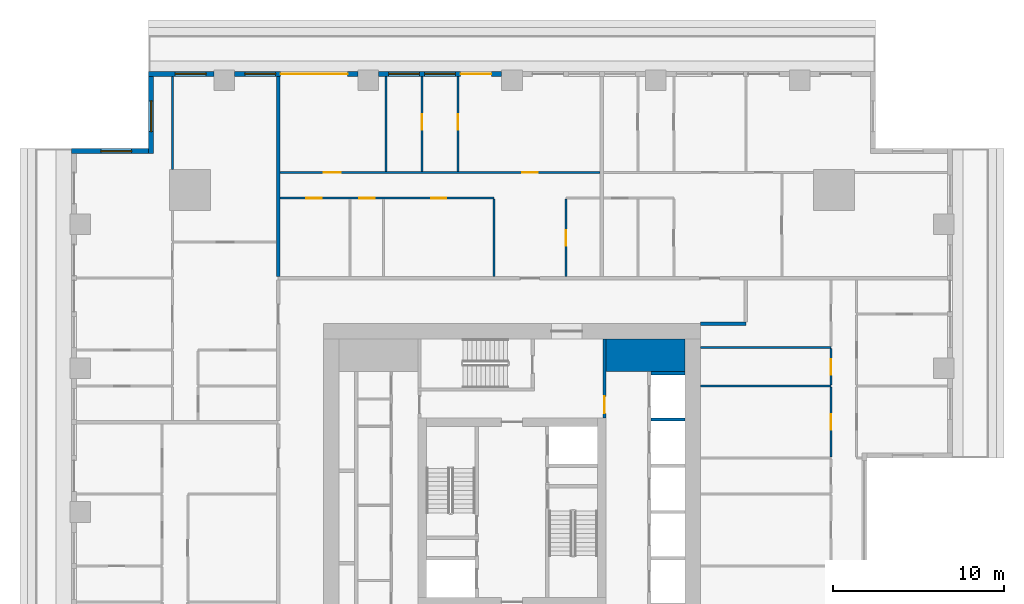
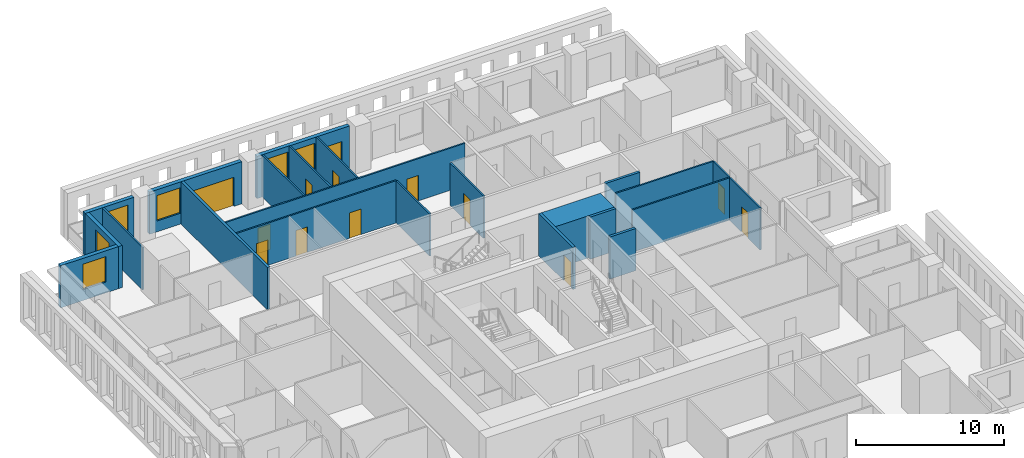
# One storey, part 8 of 16: 23 walls, 13 doors, 6 windows, 19 openings.
"""IFC4 building model written with IfcOpenShell, lengths in metres."""

import ifcopenshell
import ifcopenshell.guid

model = None  # the IFC model being written
_history = None  # IfcOwnerHistory: only IFC2X3 demands one
_inside = {}  # id of a spatial element -> (the spatial element, [elements in it])
_under = {}  # id of a project, library or spatial element -> (it, [spatial elements below it])
_declared = {}  # id of a project -> (the project, [libraries it declares])
_typed = {}  # id of a type object -> (the type object, [elements of that type])
_made_of = {}  # id of a material, layer set ... -> (it, [elements and type objects made of it])


def new_model(schema):
    """Start an empty IFC model of exactly this schema.

    Asked for "IFC4X3", IfcOpenShell would pick the latest addendum, in which some entities
    have other attributes; the version numbers below select the first issue.
    IFC2X3 requires an IfcOwnerHistory on every rooted entity: one is made here for all.
    """
    global model, _history
    if schema == "IFC4X3":
        model = ifcopenshell.file(schema_version=(4, 3, 0, 0))
    else:
        model = ifcopenshell.file(schema=schema)
    _inside.clear()
    _under.clear()
    _declared.clear()
    _typed.clear()
    _made_of.clear()
    _history = None
    if model.schema == "IFC2X3":
        org = make("IfcOrganization", Name="unknown")
        user = make(
            "IfcPersonAndOrganization",
            ThePerson=make("IfcPerson", FamilyName="unknown"),
            TheOrganization=org,
        )
        app = make(
            "IfcApplication",
            ApplicationDeveloper=org,
            Version="unknown",
            ApplicationFullName="unknown",
            ApplicationIdentifier="unknown",
        )
        _history = make(
            "IfcOwnerHistory",
            OwningUser=user,
            OwningApplication=app,
            ChangeAction="ADDED",
            CreationDate=0,
        )
    return model


def make(cls, **values):
    """One entity of the class cls with the attributes given. An attribute that is None is left unset."""
    return model.create_entity(
        cls, **{name: value for name, value in values.items() if value is not None}
    )


def rooted(cls, **values):
    """An entity with a GlobalId (a new one), such as an element, a storey or a relation."""
    return make(cls, GlobalId=ifcopenshell.guid.new(), OwnerHistory=_history, **values)


def si_unit(unit_type, name, prefix=None):
    """IfcSIUnit, for example si_unit("LENGTHUNIT", "METRE", prefix="MILLI")."""
    return make("IfcSIUnit", UnitType=unit_type, Prefix=prefix, Name=name)


def assignment(units):
    """IfcUnitAssignment: the units of a project."""
    return None if units is None else make("IfcUnitAssignment", Units=units)


def point(xyz):
    """IfcCartesianPoint."""
    return None if xyz is None else make("IfcCartesianPoint", Coordinates=xyz)


def direction(xyz):
    """IfcDirection."""
    return None if xyz is None else make("IfcDirection", DirectionRatios=xyz)


def frame(location, z_axis=None, x_axis=None):
    """IfcAxis2Placement3D, a coordinate frame: its origin and axes. An axis left out is left unset."""
    return make(
        "IfcAxis2Placement3D",
        Location=point(location),
        Axis=direction(z_axis),
        RefDirection=direction(x_axis),
    )


def frame_2d(location, x_axis=None):
    """IfcAxis2Placement2D, a coordinate frame in the plane: its origin and x axis."""
    return make(
        "IfcAxis2Placement2D", Location=point(location), RefDirection=direction(x_axis)
    )


def origin():
    """The frame at (0, 0, 0) with its axes left unset."""
    return frame((0.0, 0.0, 0.0))


def place(relative_to, where):
    """IfcLocalPlacement: puts the frame where relative to a parent placement (None: the world)."""
    return make(
        "IfcLocalPlacement", PlacementRelTo=relative_to, RelativePlacement=where
    )


def context(
    kind, dimensions, precision=None, world=None, true_north=None, identifier=None
):
    """IfcGeometricRepresentationContext, for example the 3D "Model" context."""
    return make(
        "IfcGeometricRepresentationContext",
        ContextIdentifier=identifier,
        ContextType=kind,
        CoordinateSpaceDimension=dimensions,
        Precision=precision,
        WorldCoordinateSystem=world,
        TrueNorth=true_north,
    )


def subcontext(parent, identifier, kind, view, scale=None):
    """IfcGeometricRepresentationSubContext, for example "Body" below "Model"."""
    return make(
        "IfcGeometricRepresentationSubContext",
        ContextIdentifier=identifier,
        ContextType=kind,
        ParentContext=parent,
        TargetScale=scale,
        TargetView=view,
    )


def project(units=None, contexts=None):
    """IfcProject with its units and contexts."""
    return rooted(
        "IfcProject",
        Name="project",
        RepresentationContexts=contexts,
        UnitsInContext=assignment(units),
    )


def spatial(cls, under=None, at=None, **own):
    """A site, building, storey or space (cls), placed at a placement, below another one or the project."""
    s = rooted(cls, ObjectPlacement=at, **own)
    if under is not None:
        _under.setdefault(under.id(), (under, []))[1].append(s)
    return s


def profile(cls, at=None, kind="AREA", **sizes):
    """A parametric profile (cls). Its sizes go by their IFC names, for example OverallWidth=200.0."""
    return make(cls, ProfileType=kind, Position=at, **sizes)


def rectangle(**sizes):
    """IfcRectangleProfileDef."""
    return profile("IfcRectangleProfileDef", **sizes)


def extrude(swept, where, along, depth):
    """IfcExtrudedAreaSolid: the profile swept, set in the frame where, extruded along a direction by depth."""
    return make(
        "IfcExtrudedAreaSolid",
        SweptArea=swept,
        Position=where,
        ExtrudedDirection=direction(along),
        Depth=depth,
    )


def shape(context_of_items, identifier, shape_type, items):
    """IfcShapeRepresentation: the items that make up one representation, for example the "Body"."""
    return make(
        "IfcShapeRepresentation",
        ContextOfItems=context_of_items,
        RepresentationIdentifier=identifier,
        RepresentationType=shape_type,
        Items=items,
    )


def material(Name=None, Category=None):
    """IfcMaterial."""
    return make("IfcMaterial", Name=Name, Category=Category)


def layer(
    of_material, thickness, ventilated=None, Name=None, Category=None, Priority=None
):
    """IfcMaterialLayer: one layer of a wall or slab, of a material (None: an air gap)."""
    return make(
        "IfcMaterialLayer",
        Material=of_material,
        LayerThickness=thickness,
        IsVentilated=ventilated,
        Name=Name,
        Category=Category,
        Priority=Priority,
    )


def layer_set(layers, Name=None):
    """IfcMaterialLayerSet."""
    return make("IfcMaterialLayerSet", MaterialLayers=layers, LayerSetName=Name)


def made_of(thing, what):
    """Note that an element or type object is made of a material, layer set ...; save() writes the relation."""
    if what is not None:
        _made_of.setdefault(what.id(), (what, []))[1].append(thing)
    return thing


def type_object(cls, material=None, **own):
    """A type object (cls), such as IfcWallType, which elements share."""
    return made_of(rooted(cls, **own), material)


def element(
    cls,
    number,
    at=None,
    inside=None,
    cuts=None,
    type_object=None,
    material=None,
    context=None,
    identifier="Body",
    shape_type=None,
    held_by="IfcProductDefinitionShape",
    body=None,
    shapes=None,
    **own,
):
    """One element of the class cls, such as IfcWall. Its Tag is "e" and its number.

    at: its placement. inside: the storey or other place that contains it. cuts: it is an
    opening in that element (IfcRelVoidsElement). A single representation is given by context,
    identifier, shape_type and body (its items); several are given by shapes. held_by: the class
    of the entity that holds the representations. save() writes the other relations.
    """
    e = rooted(cls, Tag="e%d" % number, ObjectPlacement=at, **own)
    if body is not None:
        shapes = [shape(context, identifier, shape_type, body)]
    if shapes is not None:
        e.Representation = make(held_by, Representations=shapes)
    if inside is not None:
        _inside.setdefault(inside.id(), (inside, []))[1].append(e)
    if cuts is not None:
        rooted(
            "IfcRelVoidsElement", RelatingBuildingElement=cuts, RelatedOpeningElement=e
        )
    if type_object is not None:
        _typed.setdefault(type_object.id(), (type_object, []))[1].append(e)
    return made_of(e, material)


def fill(opening, filler):
    """IfcRelFillsElement: the door or window that sits in an opening."""
    return rooted(
        "IfcRelFillsElement",
        RelatingOpeningElement=opening,
        RelatedBuildingElement=filler,
    )


def aggregate(whole, parts):
    """IfcRelAggregates: a whole, such as a stair, and the parts it consists of."""
    return rooted("IfcRelAggregates", RelatingObject=whole, RelatedObjects=parts)


def save(model, path):
    """Write the relations noted so far, then the file.

    IfcRelAggregates (storeys below a building ...), IfcRelContainedInSpatialStructure (elements
    in a storey), IfcRelDefinesByType, IfcRelAssociatesMaterial and IfcRelDeclares: one each for
    every whole, place, type object, material and project.
    """
    for whole, parts in _under.values():
        aggregate(whole, parts)
    for where, things in _inside.values():
        rooted(
            "IfcRelContainedInSpatialStructure",
            RelatedElements=things,
            RelatingStructure=where,
        )
    for kind, things in _typed.values():
        rooted("IfcRelDefinesByType", RelatedObjects=things, RelatingType=kind)
    for what, things in _made_of.values():
        rooted("IfcRelAssociatesMaterial", RelatedObjects=things, RelatingMaterial=what)
    for by, libraries in _declared.values():
        rooted("IfcRelDeclares", RelatingContext=by, RelatedDefinitions=libraries)
    model.write(path)


model = new_model("IFC4")

# Units and contexts
model_context = context("Model", 3, precision=1e-05, world=origin(), true_north=direction((0.0, 1.0)))
body_context = subcontext(model_context, "Body", "Model", "MODEL_VIEW")
ifc_project = project(units=[si_unit("LENGTHUNIT", "METRE"), si_unit("AREAUNIT", "SQUARE_METRE"), si_unit("VOLUMEUNIT", "CUBIC_METRE"), si_unit("PLANEANGLEUNIT", "RADIAN"), si_unit("MASSUNIT", "GRAM", prefix="KILO")], contexts=[model_context])

# Site, building, storey
site_placement = place(None, origin())
site = spatial("IfcSite", under=ifc_project, at=site_placement, CompositionType="ELEMENT")
building_placement = place(site_placement, origin())
building = spatial("IfcBuilding", under=site, at=building_placement, Name="Khepri Terraces", CompositionType="ELEMENT")
storey_placement = place(building_placement, frame((0.0, 0.0, 192.300048828125)))
storey = spatial("IfcBuildingStorey", under=building, at=storey_placement, Name="L45", CompositionType="ELEMENT", Elevation=192.300048828125)

# Walls
ifc_material_1 = material(Name="Concrete C50/60", Category="concrete")
ifc_layer_1 = layer(ifc_material_1, 1.89990234375, Name="Concrete C50/60", Category="concrete")
ifc_layer_set_1 = layer_set([ifc_layer_1], Name="Concrete C50/60")
wall_type_1 = type_object("IfcWallType", Name="Core wall 1900 C50/60", PredefinedType="SHEAR", material=ifc_layer_set_1)
wall_1_placement = place(storey_placement, frame((5.5, 9.14990234375, 0.0), z_axis=(0.0, 0.0, 1.0), x_axis=(1.0, 0.0, 0.0)))
element("IfcWall", 1, at=wall_1_placement, inside=storey, type_object=wall_type_1, Name="Core wall PR04 L45", PredefinedType="SHEAR", context=body_context, shape_type="SweptSolid", body=[
    extrude(rectangle(XDim=4.60009765625, YDim=1.89990234375, at=frame_2d((2.300048828125, 0.0))), origin(), (0.0, 0.0, 1.0), 3.47998046875),
])
ifc_layer_2 = layer(ifc_material_1, 0.199951171875, Name="Concrete C50/60", Category="concrete")
ifc_layer_set_2 = layer_set([ifc_layer_2], Name="Concrete C50/60")
wall_type_2 = type_object("IfcWallType", Name="Core wall 200 C50/60", PredefinedType="SHEAR", material=ifc_layer_set_2)
for number, where, z_axis, x_axis, name in (
    (2, (8.10009765625, 5.39990234375, 0.0), (0.0, 0.0, 1.0), (1.0, 0.0, 0.0), "Core wall SH14 L45"),
    (3, (8.10009765625, 8.10009765625, 0.0), (0.0, 0.0, 1.0), (1.0, 0.0, 0.0), "Core wall SH15 L45"),
):
    element("IfcWall", number, at=place(storey_placement, frame(where, z_axis=z_axis, x_axis=x_axis)), inside=storey, type_object=wall_type_2, Name=name, PredefinedType="SHEAR", context=body_context, shape_type="SweptSolid", body=[
        extrude(rectangle(XDim=2.0, YDim=0.199951171875, at=frame_2d((1.0, 0.0))), origin(), (0.0, 0.0, 1.0), 3.47998046875),
    ])

# Wall, opening, door
ifc_material_2 = material(Name="Fire-rated gypsum board partition")
ifc_layer_3 = layer(ifc_material_2, 0.199951171875, Name="Fire-rated gypsum board partition")
ifc_layer_set_3 = layer_set([ifc_layer_3], Name="Fire-rated gypsum board partition")
wall_type_3 = type_object("IfcWallType", Name="WL-CORE-PART-200", PredefinedType="PARTITIONING", material=ifc_layer_set_3)
wall_2_placement = place(storey_placement, frame((5.39990234375, 5.5, 0.0), z_axis=(0.0, 0.0, 1.0), x_axis=(0.0, 1.0, 0.0)))
wall_2 = element("IfcWall", 4, at=wall_2_placement, inside=storey, type_object=wall_type_3, Name="Core partition PT13 L45", PredefinedType="PARTITIONING", context=body_context, shape_type="SweptSolid", body=[
    extrude(rectangle(XDim=4.60009765625, YDim=0.199951171875, at=frame_2d((2.300048828125, 0.0))), origin(), (0.0, 0.0, 1.0), 3.47998046875),
])
opening_1_placement = place(wall_2_placement, frame((0.25, 0.0, 0.0)))
opening_1 = element("IfcOpeningElement", 5, at=opening_1_placement, cuts=wall_2, Name="Opening L45-C17", PredefinedType="OPENING", context=body_context, shape_type="SweptSolid", body=[
    extrude(rectangle(XDim=1.0, YDim=2.10009765625, at=frame_2d((0.5, 1.050048828125))), frame((0.0, 0.10986328125, 0.0), z_axis=(0.0, -1.0, 0.0), x_axis=(1.0, 0.0, 0.0)), (0.0, 0.0, 1.0), 0.219970703125),
])
ifc_material_3 = material(Name="Painted steel", Category="steel")
door_type_1 = type_object("IfcDoorType", Name="DR-CORE-LOBBY-1000", OperationType="NOTDEFINED", PredefinedType="DOOR", material=ifc_material_3)
door_1_placement = place(opening_1_placement, origin())
door_1 = element("IfcDoor", 6, at=door_1_placement, inside=storey, type_object=door_type_1, Name="Lobby door L45-C17", OperationType="SINGLE_SWING_LEFT", OverallHeight=2.10009765625, OverallWidth=1.0, PredefinedType="DOOR", context=body_context, shape_type="SweptSolid", body=[
    extrude(rectangle(XDim=1.0, YDim=2.10009765625, at=frame_2d((0.5, 1.050048828125))), frame((0.0, 0.02490234375, 0.0), z_axis=(0.0, -1.0, 0.0), x_axis=(1.0, 0.0, 0.0)), (0.0, 0.0, 1.0), 0.050048828125),
])
fill(opening_1, door_1)

# Walls
ifc_material_4 = material(Name="Fire-rated gypsum plasterboard partition, mineral wool")
ifc_layer_4 = layer(ifc_material_4, 0.199951171875, Name="Fire-rated gypsum plasterboard partition, mineral wool")
ifc_layer_set_4 = layer_set([ifc_layer_4], Name="Fire-rated gypsum plasterboard partition, mineral wool")
wall_type_4 = type_object("IfcWallType", Name="WL-CORR-200", PredefinedType="PARTITIONING", material=ifc_layer_set_4)
wall_3_placement = place(storey_placement, frame((11.0, 11.0, 0.0), z_axis=(0.0, 0.0, 1.0), x_axis=(1.0, 0.0, 0.0)))
element("IfcWall", 7, at=wall_3_placement, inside=storey, type_object=wall_type_4, Name="Partition P-084 L45", PredefinedType="PARTITIONING", context=body_context, shape_type="SweptSolid", body=[
    extrude(rectangle(XDim=2.64990234375, YDim=0.199951171875, at=frame_2d((1.324951171875, 0.0))), origin(), (0.0, 0.0, 1.0), 3.47998046875),
])
wall_4_placement = place(storey_placement, frame((-13.64990234375, 13.75, 0.0), z_axis=(0.0, 0.0, 1.0), x_axis=(0.0, 1.0, 0.0)))
element("IfcWall", 8, at=wall_4_placement, inside=storey, type_object=wall_type_4, Name="Partition P-091 L45", PredefinedType="PARTITIONING", context=body_context, shape_type="SweptSolid", body=[
    extrude(rectangle(XDim=11.669921875, YDim=0.199951171875, at=frame_2d((5.8349609375, 0.0))), origin(), (0.0, 0.0, 1.0), 3.47998046875),
])

# Wall, openings, door, windows
ifc_material_5 = material(Name="Precast concrete C50/60 warm stone", Category="masonry")
ifc_layer_5 = layer(ifc_material_5, 0.300048828125, Name="Precast concrete C50/60 warm stone", Category="masonry")
ifc_layer_set_5 = layer_set([ifc_layer_5], Name="Precast concrete C50/60 warm stone")
wall_type_5 = type_object("IfcWallType", Name="WL-EXT-PRECAST-300", PredefinedType="STANDARD", material=ifc_layer_set_5)
wall_5_placement = place(storey_placement, frame((-0.60009765625, 25.570068359375, 0.0), z_axis=(0.0, 0.0, 1.0), x_axis=(-1.0, 0.0, 0.0)))
wall_5 = element("IfcWall", 9, at=wall_5_placement, inside=storey, type_object=wall_type_5, Name="External wall L45 N", PredefinedType="STANDARD", context=body_context, shape_type="SweptSolid", body=[
    extrude(rectangle(XDim=7.199951171875, YDim=0.300048828125, at=frame_2d((3.60009765625, 0.0))), origin(), (0.0, 0.0, 1.0), 3.47998046875),
])
opening_2_placement = place(wall_5_placement, frame((0.60009765625, 0.0, 0.0)))
opening_2 = element("IfcOpeningElement", 10, at=opening_2_placement, cuts=wall_5, Name="Opening ED-L45-09", PredefinedType="OPENING", context=body_context, shape_type="SweptSolid", body=[
    extrude(rectangle(XDim=1.800048828125, YDim=2.39990234375, at=frame_2d((0.89990234375, 1.199951171875))), frame((0.0, 0.16015625, 0.0), z_axis=(0.0, -1.0, 0.0), x_axis=(1.0, 0.0, 0.0)), (0.0, 0.0, 1.0), 0.320068359375),
])
opening_3_placement = place(wall_5_placement, frame((2.699951171875, 0.0, 0.89990234375)))
opening_3 = element("IfcOpeningElement", 11, at=opening_3_placement, cuts=wall_5, Name="Opening W1", PredefinedType="OPENING", context=body_context, shape_type="SweptSolid", body=[
    extrude(rectangle(XDim=1.800048828125, YDim=2.10009765625, at=frame_2d((0.89990234375, 1.050048828125))), frame((0.0, 0.16015625, 0.0), z_axis=(0.0, -1.0, 0.0), x_axis=(1.0, 0.0, 0.0)), (0.0, 0.0, 1.0), 0.320068359375),
])
opening_4_placement = place(wall_5_placement, frame((4.800048828125, 0.0, 0.89990234375)))
opening_4 = element("IfcOpeningElement", 12, at=opening_4_placement, cuts=wall_5, Name="Opening W1", PredefinedType="OPENING", context=body_context, shape_type="SweptSolid", body=[
    extrude(rectangle(XDim=1.800048828125, YDim=2.10009765625, at=frame_2d((0.89990234375, 1.050048828125))), frame((0.0, 0.16015625, 0.0), z_axis=(0.0, -1.0, 0.0), x_axis=(1.0, 0.0, 0.0)), (0.0, 0.0, 1.0), 0.320068359375),
])
ifc_material_6 = material(Name="Anodised aluminium bronze glazed door", Category="aluminium")
door_type_2 = type_object("IfcDoorType", Name="DR-BAL-SLIDE-1800x2400", OperationType="NOTDEFINED", PredefinedType="DOOR", material=ifc_material_6)
door_2_placement = place(opening_2_placement, origin())
door_2 = element("IfcDoor", 13, at=door_2_placement, inside=storey, type_object=door_type_2, Name="Balcony door L45 N", OperationType="SLIDING_TO_LEFT", OverallHeight=2.39990234375, OverallWidth=1.800048828125, PredefinedType="DOOR", context=body_context, shape_type="SweptSolid", body=[
    extrude(rectangle(XDim=1.800048828125, YDim=2.39990234375, at=frame_2d((0.89990234375, 1.199951171875))), frame((0.0, 0.02490234375, 0.0), z_axis=(0.0, -1.0, 0.0), x_axis=(1.0, 0.0, 0.0)), (0.0, 0.0, 1.0), 0.050048828125),
])
fill(opening_2, door_2)
ifc_material_7 = material(Name="Clear glass", Category="glass")
window_type = type_object("IfcWindowType", Name="WIN-RES-1800x2100", PartitioningType="SINGLE_PANEL", PredefinedType="WINDOW", material=ifc_material_7)
window_1_placement = place(opening_3_placement, origin())
window_1 = element("IfcWindow", 14, at=window_1_placement, inside=storey, type_object=window_type, Name="Window L45 N", OverallHeight=2.10009765625, OverallWidth=1.800048828125, PartitioningType="SINGLE_PANEL", PredefinedType="WINDOW", context=body_context, shape_type="SweptSolid", body=[
    extrude(rectangle(XDim=1.800048828125, YDim=2.10009765625, at=frame_2d((0.89990234375, 1.050048828125))), frame((0.0, 0.030029296875, 0.0), z_axis=(0.0, -1.0, 0.0), x_axis=(1.0, 0.0, 0.0)), (0.0, 0.0, 1.0), 0.06005859375),
])
fill(opening_3, window_1)
window_2_placement = place(opening_4_placement, origin())
window_2 = element("IfcWindow", 15, at=window_2_placement, inside=storey, type_object=window_type, Name="Window L45 N", OverallHeight=2.10009765625, OverallWidth=1.800048828125, PartitioningType="SINGLE_PANEL", PredefinedType="WINDOW", context=body_context, shape_type="SweptSolid", body=[
    extrude(rectangle(XDim=1.800048828125, YDim=2.10009765625, at=frame_2d((0.89990234375, 1.050048828125))), frame((0.0, 0.030029296875, 0.0), z_axis=(0.0, -1.0, 0.0), x_axis=(1.0, 0.0, 0.0)), (0.0, 0.0, 1.0), 0.06005859375),
])
fill(opening_4, window_2)

# Wall, openings, door, window
wall_6_placement = place(storey_placement, frame((-9.0, 25.570068359375, 0.0), z_axis=(0.0, 0.0, 1.0), x_axis=(-1.0, 0.0, 0.0)))
wall_6 = element("IfcWall", 16, at=wall_6_placement, inside=storey, type_object=wall_type_5, Name="External wall L45 N", PredefinedType="STANDARD", context=body_context, shape_type="SweptSolid", body=[
    extrude(rectangle(XDim=7.199951171875, YDim=0.300048828125, at=frame_2d((3.60009765625, 0.0))), origin(), (0.0, 0.0, 1.0), 3.47998046875),
])
opening_5_placement = place(wall_6_placement, frame((0.60009765625, 0.0, 0.0)))
opening_5 = element("IfcOpeningElement", 17, at=opening_5_placement, cuts=wall_6, Name="Opening ED-L45-10", PredefinedType="OPENING", context=body_context, shape_type="SweptSolid", body=[
    extrude(rectangle(XDim=3.89990234375, YDim=2.39990234375, at=frame_2d((1.949951171875, 1.199951171875))), frame((0.0, 0.16015625, 0.0), z_axis=(0.0, -1.0, 0.0), x_axis=(1.0, 0.0, 0.0)), (0.0, 0.0, 1.0), 0.320068359375),
])
opening_6_placement = place(wall_6_placement, frame((4.800048828125, 0.0, 0.89990234375)))
opening_6 = element("IfcOpeningElement", 18, at=opening_6_placement, cuts=wall_6, Name="Opening W1", PredefinedType="OPENING", context=body_context, shape_type="SweptSolid", body=[
    extrude(rectangle(XDim=1.800048828125, YDim=2.10009765625, at=frame_2d((0.89990234375, 1.050048828125))), frame((0.0, 0.16015625, 0.0), z_axis=(0.0, -1.0, 0.0), x_axis=(1.0, 0.0, 0.0)), (0.0, 0.0, 1.0), 0.320068359375),
])
door_type_3 = type_object("IfcDoorType", Name="DR-BAL-SLIDE-3900x2400", OperationType="NOTDEFINED", PredefinedType="DOOR", material=ifc_material_6)
door_3_placement = place(opening_5_placement, origin())
door_3 = element("IfcDoor", 19, at=door_3_placement, inside=storey, type_object=door_type_3, Name="Balcony door L45 N", OperationType="SLIDING_TO_LEFT", OverallHeight=2.39990234375, OverallWidth=3.89990234375, PredefinedType="DOOR", context=body_context, shape_type="SweptSolid", body=[
    extrude(rectangle(XDim=3.89990234375, YDim=2.39990234375, at=frame_2d((1.949951171875, 1.199951171875))), frame((0.0, 0.02490234375, 0.0), z_axis=(0.0, -1.0, 0.0), x_axis=(1.0, 0.0, 0.0)), (0.0, 0.0, 1.0), 0.050048828125),
])
fill(opening_5, door_3)
window_3_placement = place(opening_6_placement, origin())
window_3 = element("IfcWindow", 20, at=window_3_placement, inside=storey, type_object=window_type, Name="Window L45 N", OverallHeight=2.10009765625, OverallWidth=1.800048828125, PartitioningType="SINGLE_PANEL", PredefinedType="WINDOW", context=body_context, shape_type="SweptSolid", body=[
    extrude(rectangle(XDim=1.800048828125, YDim=2.10009765625, at=frame_2d((0.89990234375, 1.050048828125))), frame((0.0, 0.030029296875, 0.0), z_axis=(0.0, -1.0, 0.0), x_axis=(1.0, 0.0, 0.0)), (0.0, 0.0, 1.0), 0.06005859375),
])
fill(opening_6, window_3)

# Wall, opening, window
wall_7_placement = place(storey_placement, frame((-17.39990234375, 25.570068359375, 0.0), z_axis=(0.0, 0.0, 1.0), x_axis=(-1.0, 0.0, 0.0)))
wall_7 = element("IfcWall", 21, at=wall_7_placement, inside=storey, type_object=wall_type_5, Name="External wall L45 N", PredefinedType="STANDARD", context=body_context, shape_type="SweptSolid", body=[
    extrude(rectangle(XDim=3.820068359375, YDim=0.300048828125, at=frame_2d((1.91015625, 0.0))), origin(), (0.0, 0.0, 1.0), 3.47998046875),
])
opening_7_placement = place(wall_7_placement, frame((0.4599609375, 0.0, 0.89990234375)))
opening_7 = element("IfcOpeningElement", 22, at=opening_7_placement, cuts=wall_7, Name="Opening W1", PredefinedType="OPENING", context=body_context, shape_type="SweptSolid", body=[
    extrude(rectangle(XDim=1.800048828125, YDim=2.10009765625, at=frame_2d((0.89990234375, 1.050048828125))), frame((0.0, 0.16015625, 0.0), z_axis=(0.0, -1.0, 0.0), x_axis=(1.0, 0.0, 0.0)), (0.0, 0.0, 1.0), 0.320068359375),
])
window_4_placement = place(opening_7_placement, origin())
window_4 = element("IfcWindow", 23, at=window_4_placement, inside=storey, type_object=window_type, Name="Window L45 N", OverallHeight=2.10009765625, OverallWidth=1.800048828125, PartitioningType="SINGLE_PANEL", PredefinedType="WINDOW", context=body_context, shape_type="SweptSolid", body=[
    extrude(rectangle(XDim=1.800048828125, YDim=2.10009765625, at=frame_2d((0.89990234375, 1.050048828125))), frame((0.0, 0.030029296875, 0.0), z_axis=(0.0, -1.0, 0.0), x_axis=(1.0, 0.0, 0.0)), (0.0, 0.0, 1.0), 0.06005859375),
])
fill(opening_7, window_4)

wall_8_placement = place(storey_placement, frame((-21.070068359375, 25.419921875, 0.0), z_axis=(0.0, 0.0, 1.0), x_axis=(0.0, -1.0, 0.0)))
wall_8 = element("IfcWall", 24, at=wall_8_placement, inside=storey, type_object=wall_type_5, Name="External wall L45 W", PredefinedType="STANDARD", context=body_context, shape_type="SweptSolid", body=[
    extrude(rectangle(XDim=4.5, YDim=0.300048828125, at=frame_2d((2.25, 0.0))), origin(), (0.0, 0.0, 1.0), 3.47998046875),
])
opening_8_placement = place(wall_8_placement, frame((1.419921875, 0.0, 0.89990234375)))
opening_8 = element("IfcOpeningElement", 25, at=opening_8_placement, cuts=wall_8, Name="Opening W1", PredefinedType="OPENING", context=body_context, shape_type="SweptSolid", body=[
    extrude(rectangle(XDim=1.800048828125, YDim=2.10009765625, at=frame_2d((0.89990234375, 1.050048828125))), frame((0.0, 0.16015625, 0.0), z_axis=(0.0, -1.0, 0.0), x_axis=(1.0, 0.0, 0.0)), (0.0, 0.0, 1.0), 0.320068359375),
])
window_5_placement = place(opening_8_placement, origin())
window_5 = element("IfcWindow", 26, at=window_5_placement, inside=storey, type_object=window_type, Name="Window L45 W", OverallHeight=2.10009765625, OverallWidth=1.800048828125, PartitioningType="SINGLE_PANEL", PredefinedType="WINDOW", context=body_context, shape_type="SweptSolid", body=[
    extrude(rectangle(XDim=1.800048828125, YDim=2.10009765625, at=frame_2d((0.89990234375, 1.050048828125))), frame((0.0, 0.030029296875, 0.0), z_axis=(0.0, -1.0, 0.0), x_axis=(1.0, 0.0, 0.0)), (0.0, 0.0, 1.0), 0.06005859375),
])
fill(opening_8, window_5)

wall_9_placement = place(storey_placement, frame((-21.219970703125, 21.070068359375, 0.0), z_axis=(0.0, 0.0, 1.0), x_axis=(-1.0, 0.0, 0.0)))
wall_9 = element("IfcWall", 27, at=wall_9_placement, inside=storey, type_object=wall_type_5, Name="External wall L45 N", PredefinedType="STANDARD", context=body_context, shape_type="SweptSolid", body=[
    extrude(rectangle(XDim=4.5, YDim=0.300048828125, at=frame_2d((2.25, 0.0))), origin(), (0.0, 0.0, 1.0), 3.47998046875),
])
opening_9_placement = place(wall_9_placement, frame((0.97998046875, 0.0, 0.89990234375)))
opening_9 = element("IfcOpeningElement", 28, at=opening_9_placement, cuts=wall_9, Name="Opening W1", PredefinedType="OPENING", context=body_context, shape_type="SweptSolid", body=[
    extrude(rectangle(XDim=1.800048828125, YDim=2.10009765625, at=frame_2d((0.89990234375, 1.050048828125))), frame((0.0, 0.16015625, 0.0), z_axis=(0.0, -1.0, 0.0), x_axis=(1.0, 0.0, 0.0)), (0.0, 0.0, 1.0), 0.320068359375),
])
window_6_placement = place(opening_9_placement, origin())
window_6 = element("IfcWindow", 29, at=window_6_placement, inside=storey, type_object=window_type, Name="Window L45 N", OverallHeight=2.10009765625, OverallWidth=1.800048828125, PartitioningType="SINGLE_PANEL", PredefinedType="WINDOW", context=body_context, shape_type="SweptSolid", body=[
    extrude(rectangle(XDim=1.800048828125, YDim=2.10009765625, at=frame_2d((0.89990234375, 1.050048828125))), frame((0.0, 0.030029296875, 0.0), z_axis=(0.0, -1.0, 0.0), x_axis=(1.0, 0.0, 0.0)), (0.0, 0.0, 1.0), 0.06005859375),
])
fill(opening_9, window_6)

# Wall, opening, door
ifc_material_8 = material(Name="Gypsum plasterboard partition")
ifc_layer_6 = layer(ifc_material_8, 0.1201171875, Name="Gypsum plasterboard partition")
ifc_layer_set_6 = layer_set([ifc_layer_6], Name="Gypsum plasterboard partition")
wall_type_6 = type_object("IfcWallType", Name="WL-PART-120", PredefinedType="PARTITIONING", material=ifc_layer_set_6)
wall_10_placement = place(storey_placement, frame((18.6201171875, 3.2099609375, 0.0), z_axis=(0.0, 0.0, 1.0), x_axis=(0.0, 1.0, 0.0)))
wall_10 = element("IfcWall", 30, at=wall_10_placement, inside=storey, type_object=wall_type_6, Name="Partition P-065 L45", PredefinedType="PARTITIONING", context=body_context, shape_type="SweptSolid", body=[
    extrude(rectangle(XDim=4.080078125, YDim=0.1201171875, at=frame_2d((2.0400390625, 0.0))), origin(), (0.0, 0.0, 1.0), 3.47998046875),
])
opening_10_placement = place(wall_10_placement, frame((1.590087890625, 0.0, 0.0)))
opening_10 = element("IfcOpeningElement", 31, at=opening_10_placement, cuts=wall_10, Name="Opening D3", PredefinedType="OPENING", context=body_context, shape_type="SweptSolid", body=[
    extrude(rectangle(XDim=0.89990234375, YDim=2.10009765625, at=frame_2d((0.449951171875, 1.050048828125))), frame((0.0, 0.070068359375, 0.0), z_axis=(0.0, -1.0, 0.0), x_axis=(1.0, 0.0, 0.0)), (0.0, 0.0, 1.0), 0.14013671875),
])
ifc_material_9 = material(Name="Timber door leaf", Category="wood")
door_type_4 = type_object("IfcDoorType", Name="DR-INT-900", OperationType="NOTDEFINED", PredefinedType="DOOR", material=ifc_material_9)
door_4_placement = place(opening_10_placement, origin())
door_4 = element("IfcDoor", 32, at=door_4_placement, inside=storey, type_object=door_type_4, Name="Door Utility Room", OperationType="SINGLE_SWING_RIGHT", OverallHeight=2.10009765625, OverallWidth=0.89990234375, PredefinedType="DOOR", context=body_context, shape_type="SweptSolid", body=[
    extrude(rectangle(XDim=0.89990234375, YDim=2.10009765625, at=frame_2d((0.449951171875, 1.050048828125))), frame((0.0, 0.02490234375, 0.0), z_axis=(0.0, -1.0, 0.0), x_axis=(1.0, 0.0, 0.0)), (0.0, 0.0, 1.0), 0.050048828125),
])
fill(opening_10, door_4)

# Wall
wall_11_placement = place(storey_placement, frame((11.0, 7.35009765625, 0.0), z_axis=(0.0, 0.0, 1.0), x_axis=(1.0, 0.0, 0.0)))
element("IfcWall", 33, at=wall_11_placement, inside=storey, type_object=wall_type_6, Name="Partition P-073 L45", PredefinedType="PARTITIONING", context=body_context, shape_type="SweptSolid", body=[
    extrude(rectangle(XDim=7.6201171875, YDim=0.1201171875, at=frame_2d((3.81005859375, 0.0))), origin(), (0.0, 0.0, 1.0), 3.47998046875),
])

# Wall, opening, door
wall_12_placement = place(storey_placement, frame((18.6201171875, 7.409912109375, 0.0), z_axis=(0.0, 0.0, 1.0), x_axis=(0.0, 1.0, 0.0)))
wall_12 = element("IfcWall", 34, at=wall_12_placement, inside=storey, type_object=wall_type_6, Name="Partition P-077 L45", PredefinedType="PARTITIONING", context=body_context, shape_type="SweptSolid", body=[
    extrude(rectangle(XDim=2.130126953125, YDim=0.1201171875, at=frame_2d((1.06494140625, 0.0))), origin(), (0.0, 0.0, 1.0), 3.47998046875),
])
opening_11_placement = place(wall_12_placement, frame((0.614990234375, 0.0, 0.0)))
opening_11 = element("IfcOpeningElement", 35, at=opening_11_placement, cuts=wall_12, Name="Opening D4", PredefinedType="OPENING", context=body_context, shape_type="SweptSolid", body=[
    extrude(rectangle(XDim=0.89990234375, YDim=2.10009765625, at=frame_2d((0.449951171875, 1.050048828125))), frame((0.0, 0.070068359375, 0.0), z_axis=(0.0, -1.0, 0.0), x_axis=(1.0, 0.0, 0.0)), (0.0, 0.0, 1.0), 0.14013671875),
])
ifc_material_10 = material(Name="Timber door leaf, moisture resistant", Category="wood")
door_type_5 = type_object("IfcDoorType", Name="DR-WET-900", OperationType="NOTDEFINED", PredefinedType="DOOR", material=ifc_material_10)
door_5_placement = place(opening_11_placement, origin())
door_5 = element("IfcDoor", 36, at=door_5_placement, inside=storey, type_object=door_type_5, Name="Door Guest Bathroom", OperationType="SINGLE_SWING_RIGHT", OverallHeight=2.10009765625, OverallWidth=0.89990234375, PredefinedType="DOOR", context=body_context, shape_type="SweptSolid", body=[
    extrude(rectangle(XDim=0.89990234375, YDim=2.10009765625, at=frame_2d((0.449951171875, 1.050048828125))), frame((0.0, 0.02490234375, 0.0), z_axis=(0.0, -1.0, 0.0), x_axis=(1.0, 0.0, 0.0)), (0.0, 0.0, 1.0), 0.050048828125),
])
fill(opening_11, door_5)

# Walls
wall_13_placement = place(storey_placement, frame((11.0, 9.60009765625, 0.0), z_axis=(0.0, 0.0, 1.0), x_axis=(1.0, 0.0, 0.0)))
element("IfcWall", 37, at=wall_13_placement, inside=storey, type_object=wall_type_6, Name="Partition P-082 L45", PredefinedType="PARTITIONING", context=body_context, shape_type="SweptSolid", body=[
    extrude(rectangle(XDim=7.6201171875, YDim=0.1201171875, at=frame_2d((3.81005859375, 0.0))), origin(), (0.0, 0.0, 1.0), 3.47998046875),
])
wall_14_placement = place(storey_placement, frame((-1.050048828125, 13.75, 0.0), z_axis=(0.0, 0.0, 1.0), x_axis=(0.0, 1.0, 0.0)))
element("IfcWall", 38, at=wall_14_placement, inside=storey, type_object=wall_type_6, Name="Partition P-094 L45", PredefinedType="PARTITIONING", context=body_context, shape_type="SweptSolid", body=[
    extrude(rectangle(XDim=4.510009765625, YDim=0.1201171875, at=frame_2d((2.2548828125, 0.0))), origin(), (0.0, 0.0, 1.0), 3.47998046875),
])

# Wall, opening, door
wall_15_placement = place(storey_placement, frame((3.14990234375, 13.75, 0.0), z_axis=(0.0, 0.0, 1.0), x_axis=(0.0, 1.0, 0.0)))
wall_15 = element("IfcWall", 39, at=wall_15_placement, inside=storey, type_object=wall_type_6, Name="Partition P-095 L45", PredefinedType="PARTITIONING", context=body_context, shape_type="SweptSolid", body=[
    extrude(rectangle(XDim=4.510009765625, YDim=0.1201171875, at=frame_2d((2.2548828125, 0.0))), origin(), (0.0, 0.0, 1.0), 3.47998046875),
])
opening_12_placement = place(wall_15_placement, frame((1.784912109375, 0.0, 0.0)))
opening_12 = element("IfcOpeningElement", 40, at=opening_12_placement, cuts=wall_15, Name="Opening D4", PredefinedType="OPENING", context=body_context, shape_type="SweptSolid", body=[
    extrude(rectangle(XDim=0.89990234375, YDim=2.10009765625, at=frame_2d((0.449951171875, 1.050048828125))), frame((0.0, 0.070068359375, 0.0), z_axis=(0.0, -1.0, 0.0), x_axis=(1.0, 0.0, 0.0)), (0.0, 0.0, 1.0), 0.14013671875),
])
door_6_placement = place(opening_12_placement, frame((0.89990234375, 0.0, 0.0), z_axis=(0.0, 0.0, 1.0), x_axis=(-1.0, 0.0, 0.0)))
door_6 = element("IfcDoor", 41, at=door_6_placement, inside=storey, type_object=door_type_5, Name="Door Guest Bathroom", OperationType="SINGLE_SWING_RIGHT", OverallHeight=2.10009765625, OverallWidth=0.89990234375, PredefinedType="DOOR", context=body_context, shape_type="SweptSolid", body=[
    extrude(rectangle(XDim=0.89990234375, YDim=2.10009765625, at=frame_2d((0.449951171875, 1.050048828125))), frame((0.0, 0.02490234375, 0.0), z_axis=(0.0, -1.0, 0.0), x_axis=(1.0, 0.0, 0.0)), (0.0, 0.0, 1.0), 0.050048828125),
])
fill(opening_12, door_6)

# Wall, openings, doors
wall_16_placement = place(storey_placement, frame((-13.550048828125, 18.320068359375, 0.0), z_axis=(0.0, 0.0, 1.0), x_axis=(1.0, 0.0, 0.0)))
wall_16 = element("IfcWall", 42, at=wall_16_placement, inside=storey, type_object=wall_type_6, Name="Partition P-102 L45", PredefinedType="PARTITIONING", context=body_context, shape_type="SweptSolid", body=[
    extrude(rectangle(XDim=12.5, YDim=0.1201171875, at=frame_2d((6.25, 0.0))), origin(), (0.0, 0.0, 1.0), 3.47998046875),
])
opening_13_placement = place(wall_16_placement, frame((8.824951171875, 0.0, 0.0)))
opening_13 = element("IfcOpeningElement", 43, at=opening_13_placement, cuts=wall_16, Name="Opening D3", PredefinedType="OPENING", context=body_context, shape_type="SweptSolid", body=[
    extrude(rectangle(XDim=0.89990234375, YDim=2.10009765625, at=frame_2d((0.449951171875, 1.050048828125))), frame((0.0, 0.070068359375, 0.0), z_axis=(0.0, -1.0, 0.0), x_axis=(1.0, 0.0, 0.0)), (0.0, 0.0, 1.0), 0.14013671875),
])
opening_14_placement = place(wall_16_placement, frame((4.625, 0.0, 0.0)))
opening_14 = element("IfcOpeningElement", 44, at=opening_14_placement, cuts=wall_16, Name="Opening D4", PredefinedType="OPENING", context=body_context, shape_type="SweptSolid", body=[
    extrude(rectangle(XDim=0.89990234375, YDim=2.10009765625, at=frame_2d((0.449951171875, 1.050048828125))), frame((0.0, 0.070068359375, 0.0), z_axis=(0.0, -1.0, 0.0), x_axis=(1.0, 0.0, 0.0)), (0.0, 0.0, 1.0), 0.14013671875),
])
opening_15_placement = place(wall_16_placement, frame((1.550048828125, 0.0, 0.0)))
opening_15 = element("IfcOpeningElement", 45, at=opening_15_placement, cuts=wall_16, Name="Opening D3", PredefinedType="OPENING", context=body_context, shape_type="SweptSolid", body=[
    extrude(rectangle(XDim=0.89990234375, YDim=2.10009765625, at=frame_2d((0.449951171875, 1.050048828125))), frame((0.0, 0.070068359375, 0.0), z_axis=(0.0, -1.0, 0.0), x_axis=(1.0, 0.0, 0.0)), (0.0, 0.0, 1.0), 0.14013671875),
])
door_7_placement = place(opening_13_placement, frame((0.89990234375, 0.0, 0.0), z_axis=(0.0, 0.0, 1.0), x_axis=(-1.0, 0.0, 0.0)))
door_7 = element("IfcDoor", 46, at=door_7_placement, inside=storey, type_object=door_type_4, Name="Door Kitchen", OperationType="SINGLE_SWING_LEFT", OverallHeight=2.10009765625, OverallWidth=0.89990234375, PredefinedType="DOOR", context=body_context, shape_type="SweptSolid", body=[
    extrude(rectangle(XDim=0.89990234375, YDim=2.10009765625, at=frame_2d((0.449951171875, 1.050048828125))), frame((0.0, 0.02490234375, 0.0), z_axis=(0.0, -1.0, 0.0), x_axis=(1.0, 0.0, 0.0)), (0.0, 0.0, 1.0), 0.050048828125),
])
fill(opening_13, door_7)
door_8_placement = place(opening_15_placement, frame((0.89990234375, 0.0, 0.0), z_axis=(0.0, 0.0, 1.0), x_axis=(-1.0, 0.0, 0.0)))
door_8 = element("IfcDoor", 47, at=door_8_placement, inside=storey, type_object=door_type_4, Name="Door Utility Room", OperationType="SINGLE_SWING_RIGHT", OverallHeight=2.10009765625, OverallWidth=0.89990234375, PredefinedType="DOOR", context=body_context, shape_type="SweptSolid", body=[
    extrude(rectangle(XDim=0.89990234375, YDim=2.10009765625, at=frame_2d((0.449951171875, 1.050048828125))), frame((0.0, 0.02490234375, 0.0), z_axis=(0.0, -1.0, 0.0), x_axis=(1.0, 0.0, 0.0)), (0.0, 0.0, 1.0), 0.050048828125),
])
fill(opening_15, door_8)
door_9_placement = place(opening_14_placement, frame((0.89990234375, 0.0, 0.0), z_axis=(0.0, 0.0, 1.0), x_axis=(-1.0, 0.0, 0.0)))
door_9 = element("IfcDoor", 48, at=door_9_placement, inside=storey, type_object=door_type_5, Name="Door Powder Room", OperationType="SINGLE_SWING_RIGHT", OverallHeight=2.10009765625, OverallWidth=0.89990234375, PredefinedType="DOOR", context=body_context, shape_type="SweptSolid", body=[
    extrude(rectangle(XDim=0.89990234375, YDim=2.10009765625, at=frame_2d((0.449951171875, 1.050048828125))), frame((0.0, 0.02490234375, 0.0), z_axis=(0.0, -1.0, 0.0), x_axis=(1.0, 0.0, 0.0)), (0.0, 0.0, 1.0), 0.050048828125),
])
fill(opening_14, door_9)

wall_17_placement = place(storey_placement, frame((-13.550048828125, 19.820068359375, 0.0), z_axis=(0.0, 0.0, 1.0), x_axis=(1.0, 0.0, 0.0)))
wall_17 = element("IfcWall", 49, at=wall_17_placement, inside=storey, type_object=wall_type_6, Name="Partition P-105 L45", PredefinedType="PARTITIONING", context=body_context, shape_type="SweptSolid", body=[
    extrude(rectangle(XDim=18.699951171875, YDim=0.1201171875, at=frame_2d((9.35009765625, 0.0))), origin(), (0.0, 0.0, 1.0), 3.47998046875),
])
opening_16_placement = place(wall_17_placement, frame((14.14990234375, 0.0, 0.0)))
opening_16 = element("IfcOpeningElement", 50, at=opening_16_placement, cuts=wall_17, Name="Opening D3", PredefinedType="OPENING", context=body_context, shape_type="SweptSolid", body=[
    extrude(rectangle(XDim=0.89990234375, YDim=2.10009765625, at=frame_2d((0.449951171875, 1.050048828125))), frame((0.0, 0.070068359375, 0.0), z_axis=(0.0, -1.0, 0.0), x_axis=(1.0, 0.0, 0.0)), (0.0, 0.0, 1.0), 0.14013671875),
])
opening_17_placement = place(wall_17_placement, frame((2.550048828125, 0.0, 0.0)))
opening_17 = element("IfcOpeningElement", 51, at=opening_17_placement, cuts=wall_17, Name="Opening D2", PredefinedType="OPENING", context=body_context, shape_type="SweptSolid", body=[
    extrude(rectangle(XDim=1.0, YDim=2.10009765625, at=frame_2d((0.5, 1.050048828125))), frame((0.0, 0.070068359375, 0.0), z_axis=(0.0, -1.0, 0.0), x_axis=(1.0, 0.0, 0.0)), (0.0, 0.0, 1.0), 0.14013671875),
])
ifc_material_11 = material(Name="Timber door leaf, living room door", Category="wood")
door_type_6 = type_object("IfcDoorType", Name="DR-INT-1000", OperationType="NOTDEFINED", PredefinedType="DOOR", material=ifc_material_11)
door_10_placement = place(opening_17_placement, origin())
door_10 = element("IfcDoor", 52, at=door_10_placement, inside=storey, type_object=door_type_6, Name="Door Living Room", OperationType="SINGLE_SWING_LEFT", OverallHeight=2.10009765625, OverallWidth=1.0, PredefinedType="DOOR", context=body_context, shape_type="SweptSolid", body=[
    extrude(rectangle(XDim=1.0, YDim=2.10009765625, at=frame_2d((0.5, 1.050048828125))), frame((0.0, 0.02490234375, 0.0), z_axis=(0.0, -1.0, 0.0), x_axis=(1.0, 0.0, 0.0)), (0.0, 0.0, 1.0), 0.050048828125),
])
fill(opening_17, door_10)
door_11_placement = place(opening_16_placement, origin())
door_11 = element("IfcDoor", 53, at=door_11_placement, inside=storey, type_object=door_type_4, Name="Door Master Bedroom", OperationType="SINGLE_SWING_RIGHT", OverallHeight=2.10009765625, OverallWidth=0.89990234375, PredefinedType="DOOR", context=body_context, shape_type="SweptSolid", body=[
    extrude(rectangle(XDim=0.89990234375, YDim=2.10009765625, at=frame_2d((0.449951171875, 1.050048828125))), frame((0.0, 0.02490234375, 0.0), z_axis=(0.0, -1.0, 0.0), x_axis=(1.0, 0.0, 0.0)), (0.0, 0.0, 1.0), 0.050048828125),
])
fill(opening_16, door_11)

# Wall
wall_18_placement = place(storey_placement, frame((-7.35009765625, 19.8798828125, 0.0), z_axis=(0.0, 0.0, 1.0), x_axis=(0.0, 1.0, 0.0)))
element("IfcWall", 54, at=wall_18_placement, inside=storey, type_object=wall_type_6, Name="Partition P-108 L45", PredefinedType="PARTITIONING", context=body_context, shape_type="SweptSolid", body=[
    extrude(rectangle(XDim=5.5400390625, YDim=0.1201171875, at=frame_2d((2.77001953125, 0.0))), origin(), (0.0, 0.0, 1.0), 3.47998046875),
])

# Wall, opening, door
wall_19_placement = place(storey_placement, frame((-5.25, 19.8798828125, 0.0), z_axis=(0.0, 0.0, 1.0), x_axis=(0.0, 1.0, 0.0)))
wall_19 = element("IfcWall", 55, at=wall_19_placement, inside=storey, type_object=wall_type_6, Name="Partition P-109 L45", PredefinedType="PARTITIONING", context=body_context, shape_type="SweptSolid", body=[
    extrude(rectangle(XDim=5.5400390625, YDim=0.1201171875, at=frame_2d((2.77001953125, 0.0))), origin(), (0.0, 0.0, 1.0), 3.47998046875),
])
opening_18_placement = place(wall_19_placement, frame((2.43994140625, 0.0, 0.0)))
opening_18 = element("IfcOpeningElement", 56, at=opening_18_placement, cuts=wall_19, Name="Opening D4", PredefinedType="OPENING", context=body_context, shape_type="SweptSolid", body=[
    extrude(rectangle(XDim=0.89990234375, YDim=2.10009765625, at=frame_2d((0.449951171875, 1.050048828125))), frame((0.0, 0.070068359375, 0.0), z_axis=(0.0, -1.0, 0.0), x_axis=(1.0, 0.0, 0.0)), (0.0, 0.0, 1.0), 0.14013671875),
])
door_12_placement = place(opening_18_placement, origin())
door_12 = element("IfcDoor", 57, at=door_12_placement, inside=storey, type_object=door_type_5, Name="Door Bathroom", OperationType="SINGLE_SWING_RIGHT", OverallHeight=2.10009765625, OverallWidth=0.89990234375, PredefinedType="DOOR", context=body_context, shape_type="SweptSolid", body=[
    extrude(rectangle(XDim=0.89990234375, YDim=2.10009765625, at=frame_2d((0.449951171875, 1.050048828125))), frame((0.0, 0.02490234375, 0.0), z_axis=(0.0, -1.0, 0.0), x_axis=(1.0, 0.0, 0.0)), (0.0, 0.0, 1.0), 0.050048828125),
])
fill(opening_18, door_12)

wall_20_placement = place(storey_placement, frame((-3.14990234375, 19.8798828125, 0.0), z_axis=(0.0, 0.0, 1.0), x_axis=(0.0, 1.0, 0.0)))
wall_20 = element("IfcWall", 58, at=wall_20_placement, inside=storey, type_object=wall_type_6, Name="Partition P-110 L45", PredefinedType="PARTITIONING", context=body_context, shape_type="SweptSolid", body=[
    extrude(rectangle(XDim=5.5400390625, YDim=0.1201171875, at=frame_2d((2.77001953125, 0.0))), origin(), (0.0, 0.0, 1.0), 3.47998046875),
])
opening_19_placement = place(wall_20_placement, frame((2.43994140625, 0.0, 0.0)))
opening_19 = element("IfcOpeningElement", 59, at=opening_19_placement, cuts=wall_20, Name="Opening D3", PredefinedType="OPENING", context=body_context, shape_type="SweptSolid", body=[
    extrude(rectangle(XDim=0.89990234375, YDim=2.10009765625, at=frame_2d((0.449951171875, 1.050048828125))), frame((0.0, 0.070068359375, 0.0), z_axis=(0.0, -1.0, 0.0), x_axis=(1.0, 0.0, 0.0)), (0.0, 0.0, 1.0), 0.14013671875),
])
door_13_placement = place(opening_19_placement, origin())
door_13 = element("IfcDoor", 60, at=door_13_placement, inside=storey, type_object=door_type_4, Name="Door Dressing Room", OperationType="SINGLE_SWING_RIGHT", OverallHeight=2.10009765625, OverallWidth=0.89990234375, PredefinedType="DOOR", context=body_context, shape_type="SweptSolid", body=[
    extrude(rectangle(XDim=0.89990234375, YDim=2.10009765625, at=frame_2d((0.449951171875, 1.050048828125))), frame((0.0, 0.02490234375, 0.0), z_axis=(0.0, -1.0, 0.0), x_axis=(1.0, 0.0, 0.0)), (0.0, 0.0, 1.0), 0.050048828125),
])
fill(opening_19, door_13)

# Wall
wall_21_placement = place(storey_placement, frame((-19.820068359375, 20.0, 0.0), z_axis=(0.0, 0.0, 1.0), x_axis=(0.0, 1.0, 0.0)))
element("IfcWall", 61, at=wall_21_placement, inside=storey, type_object=wall_type_6, Name="Partition P-114 L45", PredefinedType="PARTITIONING", context=body_context, shape_type="SweptSolid", body=[
    extrude(rectangle(XDim=5.419921875, YDim=0.1201171875, at=frame_2d((2.7099609375, 0.0))), origin(), (0.0, 0.0, 1.0), 3.47998046875),
])

save(model, "model.ifc")
